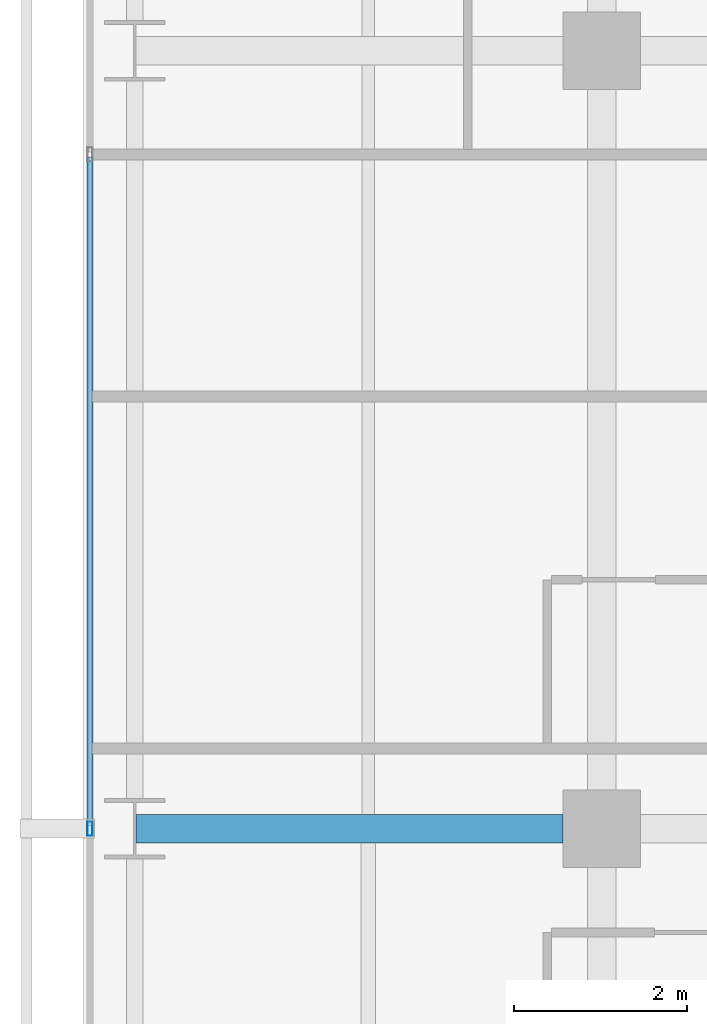
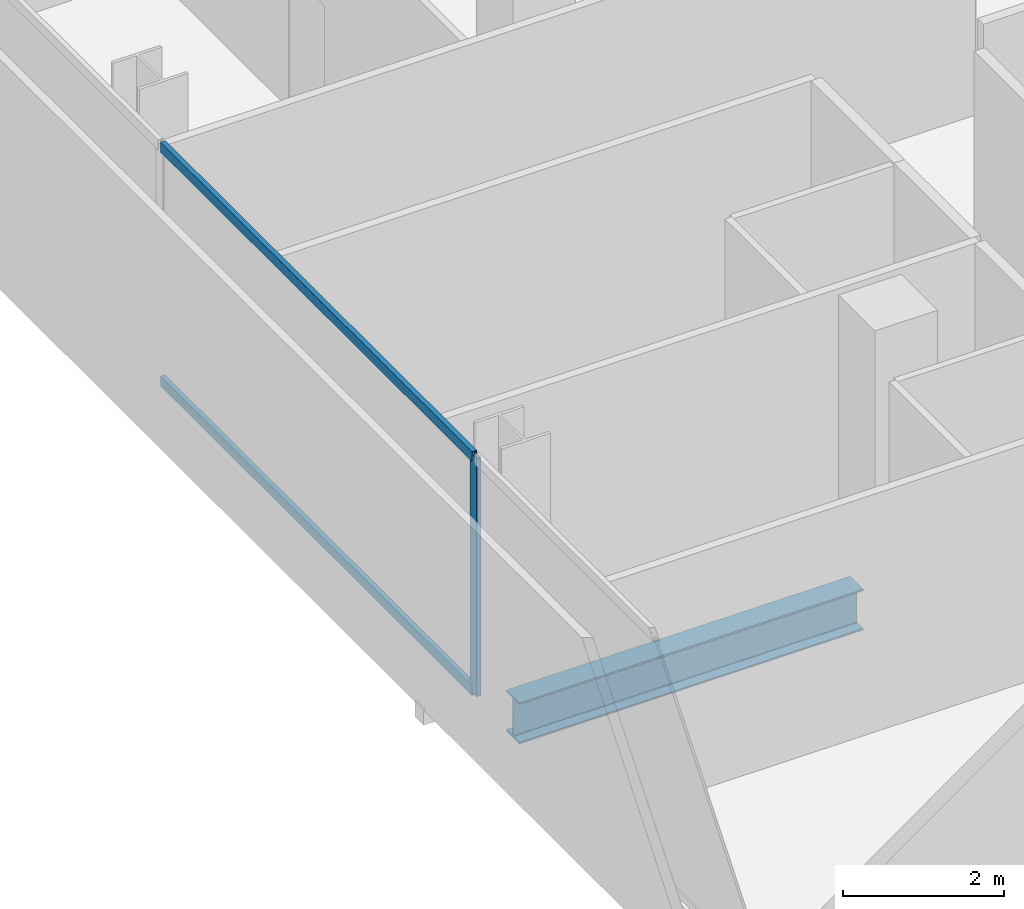
# One storey, part 12 of 40: 3 members, 1 beam, 1 element without a shape of its own.
"""IFC4 building model written with IfcOpenShell, lengths in metres."""

from ifc_helpers import new_model, si_unit, direction, frame, origin, origin_2d, place, context, subcontext, project, spatial, hollow_rectangle, i_section, extrude, material, layer, layer_set, material_profile, profile_set, type_object, element, aggregate, save


model = new_model("IFC4")

# Units and contexts
model_context = context("Model", 3, precision=1e-05, world=origin(), true_north=direction((0.0, 1.0)))
body_context = subcontext(model_context, "Body", "Model", "MODEL_VIEW")
ifc_project = project(units=[si_unit("LENGTHUNIT", "METRE"), si_unit("AREAUNIT", "SQUARE_METRE"), si_unit("VOLUMEUNIT", "CUBIC_METRE"), si_unit("PLANEANGLEUNIT", "RADIAN"), si_unit("MASSUNIT", "GRAM", prefix="KILO")], contexts=[model_context])

# Site, building, storey
site_placement = place(None, origin())
site = spatial("IfcSite", under=ifc_project, at=site_placement, CompositionType="ELEMENT")
building_placement = place(site_placement, origin())
building = spatial("IfcBuilding", under=site, at=building_placement, Name="Maruvema Waterfront Hotel and Observation Tower", CompositionType="ELEMENT")
storey_placement = place(building_placement, frame((0.0, 0.0, 57.75)))
storey = spatial("IfcBuildingStorey", under=building, at=storey_placement, Name="L13", CompositionType="ELEMENT", Elevation=57.75)

# Curtain wall, members
ifc_material_1 = material(Name="Anodised bronze aluminium and solar-control low-E IGU", Category="aluminium")
ifc_layer = layer(ifc_material_1, 0.159912109375, Name="Zone 1 Bronze Inner Thermal Curtain Wall System CW-02")
ifc_layer_set = layer_set([ifc_layer], Name="Anodised bronze aluminium and solar-control low-E IGU")
curtain_wall_type = type_object("IfcCurtainWallType", Name="Zone 1 Bronze Inner Thermal Curtain Wall System CW-02", PredefinedType="USERDEFINED", material=ifc_layer_set)
curtain_wall_placement = place(storey_placement, origin())
curtain_wall = element("IfcCurtainWall", 1, at=curtain_wall_placement, inside=storey, type_object=curtain_wall_type, Name="L13 Curtain Wall CW-L13-W", ObjectType="UNITISED CURTAIN WALL", PredefinedType="USERDEFINED")
ifc_material_2 = material(Name="Anodised architectural bronze aluminium", Category="aluminium")
ifc_material_profile_1 = material_profile(ifc_material_2, hollow_rectangle(XDim=0.070068359375, YDim=0.14990234375, WallThickness=0.00390625, at=origin_2d()), Name="ALU-T70x150")
ifc_profile_set_1 = profile_set([ifc_material_profile_1], Name="Anodised architectural bronze aluminium")
member_type_1 = type_object("IfcMemberType", Name="Curtain Wall Horizontal Transom ALU-T70x150", PredefinedType="USERDEFINED", material=ifc_profile_set_1)
member_1_placement = place(storey_placement, frame((10.8798828125, 34.77001953125, 0.030029296875), z_axis=(0.0, -1.0, 0.0), x_axis=(1.0, 0.0, 0.0)))
member_1 = element("IfcMember", 2, at=member_1_placement, type_object=member_type_1, Name="CW-02 transom 3.1", ObjectType="TRANSOM", PredefinedType="USERDEFINED", context=body_context, shape_type="SweptSolid", body=[
    extrude(hollow_rectangle(XDim=0.070068359375, YDim=0.14990234375, WallThickness=0.00390625, at=origin_2d()), origin(), (0.0, 0.0, 1.0), 7.739990234375),
])
member_2_placement = place(storey_placement, frame((10.8798828125, 34.77001953125, 3.580078125), z_axis=(0.0, -1.0, 0.0), x_axis=(1.0, 0.0, 0.0)))
member_2 = element("IfcMember", 3, at=member_2_placement, type_object=member_type_1, Name="CW-02 transom 3.2", ObjectType="TRANSOM", PredefinedType="USERDEFINED", context=body_context, shape_type="SweptSolid", body=[
    extrude(hollow_rectangle(XDim=0.070068359375, YDim=0.14990234375, WallThickness=0.00390625, at=origin_2d()), origin(), (0.0, 0.0, 1.0), 7.739990234375),
])
ifc_material_3 = material(Name="Anodised architectural bronze aluminium", Category="aluminium")
ifc_material_profile_2 = material_profile(ifc_material_3, hollow_rectangle(XDim=0.06494140625, YDim=0.1650390625, WallThickness=0.00390625, at=origin_2d()), Name="ALU-M65x165")
ifc_profile_set_2 = profile_set([ifc_material_profile_2], Name="Anodised architectural bronze aluminium")
member_type_2 = type_object("IfcMemberType", Name="Curtain Wall Primary Mullion ALU-M65x165", PredefinedType="MULLION", material=ifc_profile_set_2)
member_3_placement = place(storey_placement, frame((10.8798828125, 27.0, 0.0), z_axis=(0.0, 0.0, 1.0), x_axis=(1.0, 0.0, 0.0)))
member_3 = element("IfcMember", 4, at=member_3_placement, type_object=member_type_2, Name="CW-02 mullion 4", PredefinedType="MULLION", context=body_context, shape_type="SweptSolid", body=[
    extrude(hollow_rectangle(XDim=0.06494140625, YDim=0.1650390625, WallThickness=0.00390625, at=origin_2d()), origin(), (0.0, 0.0, 1.0), 3.610107421875),
])
aggregate(curtain_wall, [member_3, member_1, member_2])

# Beam
ifc_material_4 = material(Name="Steel ASTM A572 Grade 50", Category="steel")
ifc_material_profile_3 = material_profile(ifc_material_4, i_section(OverallWidth=0.326904296875, OverallDepth=0.6220703125, WebThickness=0.015380859375, FlangeThickness=0.0244140625, FilletRadius=0.01806640625, at=origin_2d()), Name="W610x195.0")
ifc_profile_set_3 = profile_set([ifc_material_profile_3], Name="Steel ASTM A572 Grade 50")
beam_type = type_object("IfcBeamType", Name="Primary Floor Girder W610x195.0", PredefinedType="BEAM", material=ifc_profile_set_3)
beam_placement = place(storey_placement, frame((11.4140625, 27.0, -0.551025390625), z_axis=(1.0, 0.0, 0.0), x_axis=(0.0, 1.0, 0.0)))
element("IfcBeam", 5, at=beam_placement, inside=storey, type_object=beam_type, Name="L13 Floor Girder EW-20", PredefinedType="BEAM", context=body_context, shape_type="SweptSolid", body=[
    extrude(i_section(OverallWidth=0.326904296875, OverallDepth=0.6220703125, WebThickness=0.015380859375, FlangeThickness=0.0244140625, FilletRadius=0.01806640625, at=origin_2d()), origin(), (0.0, 0.0, 1.0), 4.93603515625),
])

save(model, "model.ifc")
